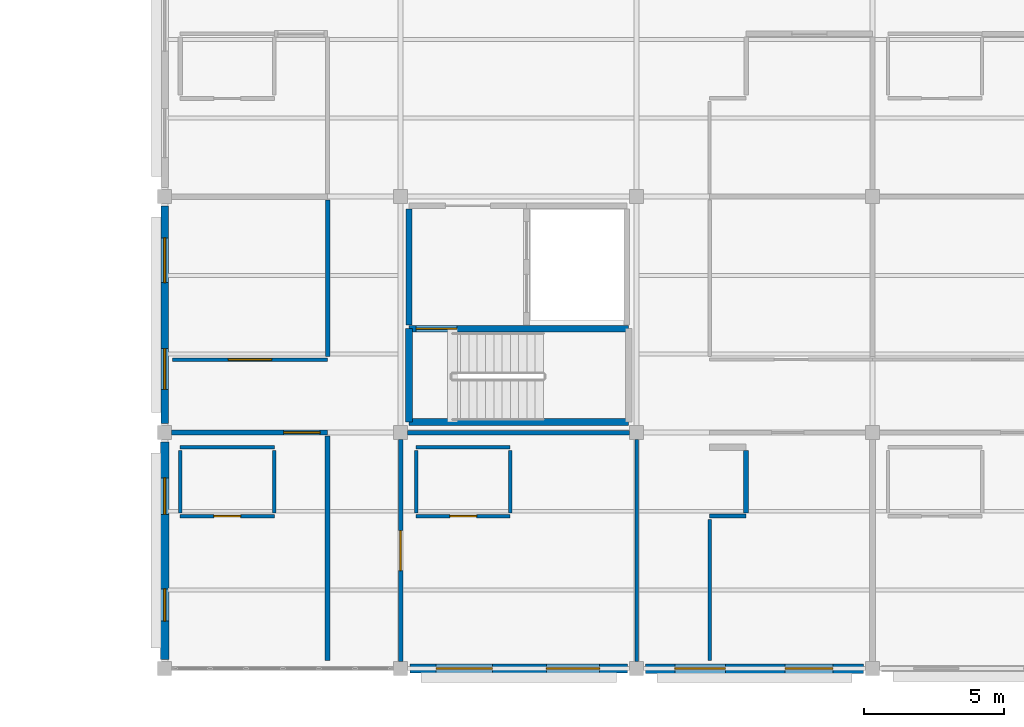
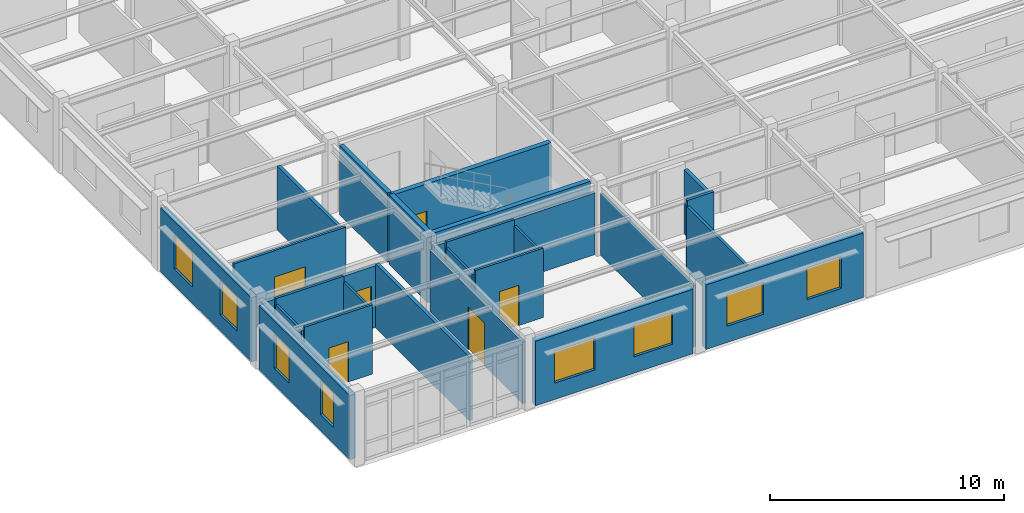
# One storey, part 32 of 53: 26 walls, 8 windows, 6 doors, 14 openings.
"""IFC4 building model written with IfcOpenShell, lengths in metres."""

from ifc_helpers import new_model, si_unit, direction, frame, frame_2d, origin, place, context, subcontext, project, spatial, rectangle, extrude, material, layer, layer_set, type_object, element, fill, save


model = new_model("IFC4")

# Units and contexts
model_context = context("Model", 3, precision=1e-05, world=origin(), true_north=direction((0.0, 1.0)))
body_context = subcontext(model_context, "Body", "Model", "MODEL_VIEW")
ifc_project = project(units=[si_unit("LENGTHUNIT", "METRE"), si_unit("AREAUNIT", "SQUARE_METRE"), si_unit("VOLUMEUNIT", "CUBIC_METRE"), si_unit("PLANEANGLEUNIT", "RADIAN"), si_unit("MASSUNIT", "GRAM", prefix="KILO")], contexts=[model_context])

# Site, building, storey
site_placement = place(None, origin())
site = spatial("IfcSite", under=ifc_project, at=site_placement, CompositionType="ELEMENT")
building_placement = place(site_placement, origin())
building = spatial("IfcBuilding", under=site, at=building_placement, Name="Bramfleet General Hospital", CompositionType="ELEMENT")
storey_placement = place(building_placement, frame((0.0, 0.0, 26.39990234375)))
storey = spatial("IfcBuildingStorey", under=building, at=storey_placement, Name="L06", CompositionType="ELEMENT", Elevation=26.39990234375)

# Wall, openings, windows
ifc_material_1 = material(Name="Precast concrete C40/50", Category="concrete")
ifc_layer_1 = layer(ifc_material_1, 0.3349609375, Name="WT-EW-03")
ifc_layer_set_1 = layer_set([ifc_layer_1], Name="Precast concrete C40/50")
wall_type_1 = type_object("IfcWallType", Name="WT-EW-03", PredefinedType="SOLIDWALL", material=ifc_layer_set_1)
wall_1_placement = place(storey_placement, frame((117.27490234375, 0.0, 0.0), z_axis=(0.0, 0.0, 1.0), x_axis=(-1.0, 0.0, 0.0)))
wall_1 = element("IfcWall", 1, at=wall_1_placement, inside=storey, type_object=wall_type_1, Name="L06 Exterior Wall 421", PredefinedType="SOLIDWALL", context=body_context, shape_type="SweptSolid", body=[
    extrude(rectangle(XDim=7.75, YDim=0.3349609375, at=frame_2d((3.875, 0.0))), origin(), (0.0, 0.0, 1.0), 3.360107421875),
])
opening_1_placement = place(wall_1_placement, frame((1.08740234375, 0.0, 0.85009765625)))
opening_1 = element("IfcOpeningElement", 2, at=opening_1_placement, cuts=wall_1, Name="Opening W-37", PredefinedType="OPENING", context=body_context, shape_type="SweptSolid", body=[
    extrude(rectangle(XDim=1.699951171875, YDim=1.659912109375, at=frame_2d((0.85009765625, 0.830078125))), frame((0.0, 0.177490234375, 0.0), z_axis=(0.0, -1.0, 0.0), x_axis=(1.0, 0.0, 0.0)), (0.0, 0.0, 1.0), 0.35498046875),
])
opening_2_placement = place(wall_1_placement, frame((4.91259765625, 0.0, 0.85009765625)))
opening_2 = element("IfcOpeningElement", 3, at=opening_2_placement, cuts=wall_1, Name="Opening W-38", PredefinedType="OPENING", context=body_context, shape_type="SweptSolid", body=[
    extrude(rectangle(XDim=1.800048828125, YDim=1.659912109375, at=frame_2d((0.89990234375, 0.830078125))), frame((0.0, 0.177490234375, 0.0), z_axis=(0.0, -1.0, 0.0), x_axis=(1.0, 0.0, 0.0)), (0.0, 0.0, 1.0), 0.35498046875),
])
ifc_material_2 = material(Name="Anodised aluminium and low-E triple glazing", Category="aluminium")
window_type_1 = type_object("IfcWindowType", Name="WIN-W-37", PartitioningType="SINGLE_PANEL", PredefinedType="WINDOW", material=ifc_material_2)
window_1_placement = place(opening_1_placement, origin())
window_1 = element("IfcWindow", 4, at=window_1_placement, inside=storey, type_object=window_type_1, Name="L06 Facade Window WIN-L06-421-1", OverallHeight=1.659912109375, OverallWidth=1.699951171875, PartitioningType="SINGLE_PANEL", PredefinedType="WINDOW", context=body_context, shape_type="SweptSolid", body=[
    extrude(rectangle(XDim=1.699951171875, YDim=1.659912109375, at=frame_2d((0.85009765625, 0.830078125))), frame((0.0, 0.030029296875, 0.0), z_axis=(0.0, -1.0, 0.0), x_axis=(1.0, 0.0, 0.0)), (0.0, 0.0, 1.0), 0.06005859375),
])
fill(opening_1, window_1)
window_type_2 = type_object("IfcWindowType", Name="WIN-W-38", PartitioningType="SINGLE_PANEL", PredefinedType="WINDOW", material=ifc_material_2)
window_2_placement = place(opening_2_placement, origin())
window_2 = element("IfcWindow", 5, at=window_2_placement, inside=storey, type_object=window_type_2, Name="L06 Facade Window WIN-L06-421-2", OverallHeight=1.659912109375, OverallWidth=1.800048828125, PartitioningType="SINGLE_PANEL", PredefinedType="WINDOW", context=body_context, shape_type="SweptSolid", body=[
    extrude(rectangle(XDim=1.800048828125, YDim=1.659912109375, at=frame_2d((0.89990234375, 0.830078125))), frame((0.0, 0.030029296875, 0.0), z_axis=(0.0, -1.0, 0.0), x_axis=(1.0, 0.0, 0.0)), (0.0, 0.0, 1.0), 0.06005859375),
])
fill(opening_2, window_2)

ifc_layer_2 = layer(ifc_material_1, 0.31494140625, Name="WT-EW-04")
ifc_layer_set_2 = layer_set([ifc_layer_2], Name="Precast concrete C40/50")
wall_type_2 = type_object("IfcWallType", Name="WT-EW-04", PredefinedType="SOLIDWALL", material=ifc_layer_set_2)
wall_2_placement = place(storey_placement, frame((108.875, 0.0, 0.0), z_axis=(0.0, 0.0, 1.0), x_axis=(-1.0, 0.0, 0.0)))
wall_2 = element("IfcWall", 6, at=wall_2_placement, inside=storey, type_object=wall_type_2, Name="L06 Exterior Wall 422", PredefinedType="SOLIDWALL", context=body_context, shape_type="SweptSolid", body=[
    extrude(rectangle(XDim=7.75, YDim=0.31494140625, at=frame_2d((3.875, 0.0))), origin(), (0.0, 0.0, 1.0), 3.360107421875),
])
opening_3_placement = place(wall_2_placement, frame((0.987548828125, 0.0, 0.85009765625)))
opening_3 = element("IfcOpeningElement", 7, at=opening_3_placement, cuts=wall_2, Name="Opening W-39", PredefinedType="OPENING", context=body_context, shape_type="SweptSolid", body=[
    extrude(rectangle(XDim=1.89990234375, YDim=1.659912109375, at=frame_2d((0.949951171875, 0.830078125))), frame((0.0, 0.16748046875, 0.0), z_axis=(0.0, -1.0, 0.0), x_axis=(1.0, 0.0, 0.0)), (0.0, 0.0, 1.0), 0.3349609375),
])
opening_4_placement = place(wall_2_placement, frame((4.8125, 0.0, 0.85009765625)))
opening_4 = element("IfcOpeningElement", 8, at=opening_4_placement, cuts=wall_2, Name="Opening W-40", PredefinedType="OPENING", context=body_context, shape_type="SweptSolid", body=[
    extrude(rectangle(XDim=2.0, YDim=1.659912109375, at=frame_2d((1.0, 0.830078125))), frame((0.0, 0.16748046875, 0.0), z_axis=(0.0, -1.0, 0.0), x_axis=(1.0, 0.0, 0.0)), (0.0, 0.0, 1.0), 0.3349609375),
])
window_type_3 = type_object("IfcWindowType", Name="WIN-W-39", PartitioningType="SINGLE_PANEL", PredefinedType="WINDOW", material=ifc_material_2)
window_3_placement = place(opening_3_placement, origin())
window_3 = element("IfcWindow", 9, at=window_3_placement, inside=storey, type_object=window_type_3, Name="L06 Facade Window WIN-L06-422-1", OverallHeight=1.659912109375, OverallWidth=1.89990234375, PartitioningType="SINGLE_PANEL", PredefinedType="WINDOW", context=body_context, shape_type="SweptSolid", body=[
    extrude(rectangle(XDim=1.89990234375, YDim=1.659912109375, at=frame_2d((0.949951171875, 0.830078125))), frame((0.0, 0.030029296875, 0.0), z_axis=(0.0, -1.0, 0.0), x_axis=(1.0, 0.0, 0.0)), (0.0, 0.0, 1.0), 0.06005859375),
])
fill(opening_3, window_3)
window_type_4 = type_object("IfcWindowType", Name="WIN-W-40", PartitioningType="SINGLE_PANEL", PredefinedType="WINDOW", material=ifc_material_2)
window_4_placement = place(opening_4_placement, origin())
window_4 = element("IfcWindow", 10, at=window_4_placement, inside=storey, type_object=window_type_4, Name="L06 Facade Window WIN-L06-422-2", OverallHeight=1.659912109375, OverallWidth=2.0, PartitioningType="SINGLE_PANEL", PredefinedType="WINDOW", context=body_context, shape_type="SweptSolid", body=[
    extrude(rectangle(XDim=2.0, YDim=1.659912109375, at=frame_2d((1.0, 0.830078125))), frame((0.0, 0.030029296875, 0.0), z_axis=(0.0, -1.0, 0.0), x_axis=(1.0, 0.0, 0.0)), (0.0, 0.0, 1.0), 0.06005859375),
])
fill(opening_4, window_4)

ifc_layer_3 = layer(ifc_material_1, 0.294921875, Name="WT-EW-05")
ifc_layer_set_3 = layer_set([ifc_layer_3], Name="Precast concrete C40/50")
wall_type_3 = type_object("IfcWallType", Name="WT-EW-05", PredefinedType="SOLIDWALL", material=ifc_layer_set_3)
wall_3_placement = place(storey_placement, frame((92.39990234375, 0.324951171875, 0.0), z_axis=(0.0, 0.0, 1.0), x_axis=(0.0, 1.0, 0.0)))
wall_3 = element("IfcWall", 11, at=wall_3_placement, inside=storey, type_object=wall_type_3, Name="L06 Exterior Wall 423", PredefinedType="SOLIDWALL", context=body_context, shape_type="SweptSolid", body=[
    extrude(rectangle(XDim=7.75, YDim=0.294921875, at=frame_2d((3.875, 0.0))), origin(), (0.0, 0.0, 1.0), 3.340087890625),
])
opening_5_placement = place(wall_3_placement, frame((1.362548828125, 0.0, 0.85009765625)))
opening_5 = element("IfcOpeningElement", 12, at=opening_5_placement, cuts=wall_3, Name="Opening W-41", PredefinedType="OPENING", context=body_context, shape_type="SweptSolid", body=[
    extrude(rectangle(XDim=1.14990234375, YDim=1.780029296875, at=frame_2d((0.574951171875, 0.89013671875))), frame((0.0, 0.157470703125, 0.0), z_axis=(0.0, -1.0, 0.0), x_axis=(1.0, 0.0, 0.0)), (0.0, 0.0, 1.0), 0.31494140625),
])
opening_6_placement = place(wall_3_placement, frame((5.16259765625, 0.0, 0.85009765625)))
opening_6 = element("IfcOpeningElement", 13, at=opening_6_placement, cuts=wall_3, Name="Opening W-42", PredefinedType="OPENING", context=body_context, shape_type="SweptSolid", body=[
    extrude(rectangle(XDim=1.300048828125, YDim=1.780029296875, at=frame_2d((0.64990234375, 0.89013671875))), frame((0.0, 0.157470703125, 0.0), z_axis=(0.0, -1.0, 0.0), x_axis=(1.0, 0.0, 0.0)), (0.0, 0.0, 1.0), 0.31494140625),
])
window_type_5 = type_object("IfcWindowType", Name="WIN-W-41", PartitioningType="SINGLE_PANEL", PredefinedType="WINDOW", material=ifc_material_2)
window_5_placement = place(opening_5_placement, origin())
window_5 = element("IfcWindow", 14, at=window_5_placement, inside=storey, type_object=window_type_5, Name="L06 Facade Window WIN-L06-423-1", OverallHeight=1.780029296875, OverallWidth=1.14990234375, PartitioningType="SINGLE_PANEL", PredefinedType="WINDOW", context=body_context, shape_type="SweptSolid", body=[
    extrude(rectangle(XDim=1.14990234375, YDim=1.780029296875, at=frame_2d((0.574951171875, 0.89013671875))), frame((0.0, 0.030029296875, 0.0), z_axis=(0.0, -1.0, 0.0), x_axis=(1.0, 0.0, 0.0)), (0.0, 0.0, 1.0), 0.06005859375),
])
fill(opening_5, window_5)
window_type_6 = type_object("IfcWindowType", Name="WIN-W-42", PartitioningType="SINGLE_PANEL", PredefinedType="WINDOW", material=ifc_material_2)
window_6_placement = place(opening_6_placement, origin())
window_6 = element("IfcWindow", 15, at=window_6_placement, inside=storey, type_object=window_type_6, Name="L06 Facade Window WIN-L06-423-2", OverallHeight=1.780029296875, OverallWidth=1.300048828125, PartitioningType="SINGLE_PANEL", PredefinedType="WINDOW", context=body_context, shape_type="SweptSolid", body=[
    extrude(rectangle(XDim=1.300048828125, YDim=1.780029296875, at=frame_2d((0.64990234375, 0.89013671875))), frame((0.0, 0.030029296875, 0.0), z_axis=(0.0, -1.0, 0.0), x_axis=(1.0, 0.0, 0.0)), (0.0, 0.0, 1.0), 0.06005859375),
])
fill(opening_6, window_6)

ifc_layer_4 = layer(ifc_material_1, 0.280029296875, Name="WT-EW-06")
ifc_layer_set_4 = layer_set([ifc_layer_4], Name="Precast concrete C40/50")
wall_type_4 = type_object("IfcWallType", Name="WT-EW-06", PredefinedType="SOLIDWALL", material=ifc_layer_set_4)
wall_4_placement = place(storey_placement, frame((92.39990234375, 8.72509765625, 0.0), z_axis=(0.0, 0.0, 1.0), x_axis=(0.0, 1.0, 0.0)))
wall_4 = element("IfcWall", 16, at=wall_4_placement, inside=storey, type_object=wall_type_4, Name="L06 Exterior Wall 424", PredefinedType="SOLIDWALL", context=body_context, shape_type="SweptSolid", body=[
    extrude(rectangle(XDim=7.75, YDim=0.280029296875, at=frame_2d((3.875, 0.0))), origin(), (0.0, 0.0, 1.0), 3.340087890625),
])
opening_7_placement = place(wall_4_placement, frame((1.21240234375, 0.0, 0.85009765625)))
opening_7 = element("IfcOpeningElement", 17, at=opening_7_placement, cuts=wall_4, Name="Opening W-43", PredefinedType="OPENING", context=body_context, shape_type="SweptSolid", body=[
    extrude(rectangle(XDim=1.449951171875, YDim=1.780029296875, at=frame_2d((0.72509765625, 0.89013671875))), frame((0.0, 0.14990234375, 0.0), z_axis=(0.0, -1.0, 0.0), x_axis=(1.0, 0.0, 0.0)), (0.0, 0.0, 1.0), 0.300048828125),
])
opening_8_placement = place(wall_4_placement, frame((5.012451171875, 0.0, 0.85009765625)))
opening_8 = element("IfcOpeningElement", 18, at=opening_8_placement, cuts=wall_4, Name="Opening W-44", PredefinedType="OPENING", context=body_context, shape_type="SweptSolid", body=[
    extrude(rectangle(XDim=1.60009765625, YDim=1.780029296875, at=frame_2d((0.800048828125, 0.89013671875))), frame((0.0, 0.14990234375, 0.0), z_axis=(0.0, -1.0, 0.0), x_axis=(1.0, 0.0, 0.0)), (0.0, 0.0, 1.0), 0.300048828125),
])
window_type_7 = type_object("IfcWindowType", Name="WIN-W-43", PartitioningType="SINGLE_PANEL", PredefinedType="WINDOW", material=ifc_material_2)
window_7_placement = place(opening_7_placement, origin())
window_7 = element("IfcWindow", 19, at=window_7_placement, inside=storey, type_object=window_type_7, Name="L06 Facade Window WIN-L06-424-1", OverallHeight=1.780029296875, OverallWidth=1.449951171875, PartitioningType="SINGLE_PANEL", PredefinedType="WINDOW", context=body_context, shape_type="SweptSolid", body=[
    extrude(rectangle(XDim=1.449951171875, YDim=1.780029296875, at=frame_2d((0.72509765625, 0.89013671875))), frame((0.0, 0.030029296875, 0.0), z_axis=(0.0, -1.0, 0.0), x_axis=(1.0, 0.0, 0.0)), (0.0, 0.0, 1.0), 0.06005859375),
])
fill(opening_7, window_7)
window_type_8 = type_object("IfcWindowType", Name="WIN-W-44", PartitioningType="SINGLE_PANEL", PredefinedType="WINDOW", material=ifc_material_2)
window_8_placement = place(opening_8_placement, origin())
window_8 = element("IfcWindow", 20, at=window_8_placement, inside=storey, type_object=window_type_8, Name="L06 Facade Window WIN-L06-424-2", OverallHeight=1.780029296875, OverallWidth=1.60009765625, PartitioningType="SINGLE_PANEL", PredefinedType="WINDOW", context=body_context, shape_type="SweptSolid", body=[
    extrude(rectangle(XDim=1.60009765625, YDim=1.780029296875, at=frame_2d((0.800048828125, 0.89013671875))), frame((0.0, 0.030029296875, 0.0), z_axis=(0.0, -1.0, 0.0), x_axis=(1.0, 0.0, 0.0)), (0.0, 0.0, 1.0), 0.06005859375),
])
fill(opening_8, window_8)

# Wall
ifc_material_3 = material(Name="Concrete C35/45", Category="concrete")
ifc_layer_5 = layer(ifc_material_3, 0.205078125, Name="WT-IW-02")
ifc_layer_set_5 = layer_set([ifc_layer_5], Name="Concrete C35/45")
wall_type_5 = type_object("IfcWallType", Name="WT-IW-02", PredefinedType="PARTITIONING", material=ifc_layer_set_5)
wall_5_placement = place(storey_placement, frame((101.10009765625, 12.239990234375, 0.0), z_axis=(0.0, 0.0, 1.0), x_axis=(0.0, 1.0, 0.0)))
element("IfcWall", 21, at=wall_5_placement, inside=storey, type_object=wall_type_5, Name="L06 C3 Lobby West Compartment Wall", PredefinedType="PARTITIONING", context=body_context, shape_type="SweptSolid", body=[
    extrude(rectangle(XDim=4.1201171875, YDim=0.205078125, at=frame_2d((2.06005859375, 0.0))), origin(), (0.0, 0.0, 1.0), 3.610107421875),
])

# Wall, opening, door
ifc_layer_6 = layer(ifc_material_3, 0.179931640625, Name="WT-IW-04")
ifc_layer_set_6 = layer_set([ifc_layer_6], Name="Concrete C35/45")
wall_type_6 = type_object("IfcWallType", Name="WT-IW-04", PredefinedType="PARTITIONING", material=ifc_layer_set_6)
wall_6_placement = place(storey_placement, frame((92.64501953125, 8.39990234375, 0.0), z_axis=(0.0, 0.0, 1.0), x_axis=(1.0, 0.0, 0.0)))
wall_6 = element("IfcWall", 22, at=wall_6_placement, inside=storey, type_object=wall_type_6, Name="L06 Interior Partition IW-L06-3844", PredefinedType="PARTITIONING", context=body_context, shape_type="SweptSolid", body=[
    extrude(rectangle(XDim=5.554931640625, YDim=0.179931640625, at=frame_2d((2.77734375, 0.0))), origin(), (0.0, 0.0, 1.0), 3.210205078125),
])
opening_9_placement = place(wall_6_placement, frame((3.98779296875, 0.0, 0.0)))
opening_9 = element("IfcOpeningElement", 23, at=opening_9_placement, cuts=wall_6, Name="Opening D1455", PredefinedType="OPENING", context=body_context, shape_type="SweptSolid", body=[
    extrude(rectangle(XDim=1.300048828125, YDim=2.199951171875, at=frame_2d((0.64990234375, 1.10009765625))), frame((0.0, 0.099853515625, 0.0), z_axis=(0.0, -1.0, 0.0), x_axis=(1.0, 0.0, 0.0)), (0.0, 0.0, 1.0), 0.199951171875),
])
ifc_material_4 = material(Name="Stainless steel and acoustic timber leaf", Category="steel")
door_type_1 = type_object("IfcDoorType", Name="DR-D-15", OperationType="NOTDEFINED", PredefinedType="DOOR", material=ifc_material_4)
door_1_placement = place(opening_9_placement, origin())
door_1 = element("IfcDoor", 24, at=door_1_placement, inside=storey, type_object=door_type_1, Name="Oncology and Neurology Ward Bedroom L06-1100 Door D1455", OperationType="SINGLE_SWING_RIGHT", OverallHeight=2.199951171875, OverallWidth=1.300048828125, PredefinedType="DOOR", context=body_context, shape_type="SweptSolid", body=[
    extrude(rectangle(XDim=1.300048828125, YDim=2.199951171875, at=frame_2d((0.64990234375, 1.10009765625))), frame((0.0, 0.02490234375, 0.0), z_axis=(0.0, -1.0, 0.0), x_axis=(1.0, 0.0, 0.0)), (0.0, 0.0, 1.0), 0.050048828125),
])
fill(opening_9, door_1)

# Walls
wall_7_placement = place(storey_placement, frame((113.10009765625, 5.544921875, 0.0), z_axis=(0.0, 0.0, 1.0), x_axis=(0.0, 1.0, 0.0)))
element("IfcWall", 25, at=wall_7_placement, inside=storey, type_object=wall_type_6, Name="L06 Interior Partition IW-L06-4072", PredefinedType="PARTITIONING", context=body_context, shape_type="SweptSolid", body=[
    extrude(rectangle(XDim=2.219970703125, YDim=0.179931640625, at=frame_2d((1.10986328125, 0.0))), origin(), (0.0, 0.0, 1.0), 3.340087890625),
])
ifc_material_5 = material(Name="Gypsum plasterboard on acoustic steel studs", Category="steel")
ifc_layer_7 = layer(ifc_material_5, 0.169921875, Name="WT-IW-05")
ifc_layer_set_7 = layer_set([ifc_layer_7], Name="Gypsum plasterboard on acoustic steel studs")
wall_type_7 = type_object("IfcWallType", Name="WT-IW-05", PredefinedType="PARTITIONING", material=ifc_layer_set_7)
wall_8_placement = place(storey_placement, frame((101.044921875, 8.39990234375, 0.0), z_axis=(0.0, 0.0, 1.0), x_axis=(1.0, 0.0, 0.0)))
element("IfcWall", 26, at=wall_8_placement, inside=storey, type_object=wall_type_7, Name="L06 Interior Partition IW-L06-3845", PredefinedType="PARTITIONING", context=body_context, shape_type="SweptSolid", body=[
    extrude(rectangle(XDim=7.91015625, YDim=0.169921875, at=frame_2d((3.955078125, 0.0))), origin(), (0.0, 0.0, 1.0), 3.210205078125),
])
wall_9_placement = place(storey_placement, frame((98.199951171875, 0.280029296875, 0.0), z_axis=(0.0, 0.0, 1.0), x_axis=(0.0, 1.0, 0.0)))
element("IfcWall", 27, at=wall_9_placement, inside=storey, type_object=wall_type_7, Name="L06 Interior Partition IW-L06-4013", PredefinedType="PARTITIONING", context=body_context, shape_type="SweptSolid", body=[
    extrude(rectangle(XDim=8.0048828125, YDim=0.169921875, at=frame_2d((4.00244140625, 0.0))), origin(), (0.0, 0.0, 1.0), 3.340087890625),
])
ifc_layer_8 = layer(ifc_material_5, 0.159912109375, Name="WT-IW-06")
ifc_layer_set_8 = layer_set([ifc_layer_8], Name="Gypsum plasterboard on acoustic steel studs")
wall_type_8 = type_object("IfcWallType", Name="WT-IW-06", PredefinedType="PARTITIONING", material=ifc_layer_set_8)
wall_10_placement = place(storey_placement, frame((98.199951171875, 11.114990234375, 0.0), z_axis=(0.0, 0.0, 1.0), x_axis=(0.0, 1.0, 0.0)))
element("IfcWall", 28, at=wall_10_placement, inside=storey, type_object=wall_type_8, Name="L06 Interior Partition IW-L06-4014", PredefinedType="PARTITIONING", context=body_context, shape_type="SweptSolid", body=[
    extrude(rectangle(XDim=5.570068359375, YDim=0.159912109375, at=frame_2d((2.78515625, 0.0))), origin(), (0.0, 0.0, 1.0), 3.340087890625),
])

# Wall, opening, door
ifc_layer_9 = layer(ifc_material_5, 0.14990234375, Name="WT-IW-07")
ifc_layer_set_9 = layer_set([ifc_layer_9], Name="Gypsum plasterboard on acoustic steel studs")
wall_type_9 = type_object("IfcWallType", Name="WT-IW-07", PredefinedType="PARTITIONING", material=ifc_layer_set_9)
wall_11_placement = place(storey_placement, frame((100.800048828125, 0.2451171875, 0.0), z_axis=(0.0, 0.0, 1.0), x_axis=(0.0, 1.0, 0.0)))
wall_11 = element("IfcWall", 29, at=wall_11_placement, inside=storey, type_object=wall_type_9, Name="L06 Interior Partition IW-L06-4027", PredefinedType="PARTITIONING", context=body_context, shape_type="SweptSolid", body=[
    extrude(rectangle(XDim=7.909912109375, YDim=0.14990234375, at=frame_2d((3.955078125, 0.0))), origin(), (0.0, 0.0, 1.0), 3.210205078125),
])
opening_10_placement = place(wall_11_placement, frame((3.2451171875, 0.0, 0.0)))
opening_10 = element("IfcOpeningElement", 30, at=opening_10_placement, cuts=wall_11, Name="Opening D1471", PredefinedType="OPENING", context=body_context, shape_type="SweptSolid", body=[
    extrude(rectangle(XDim=1.419921875, YDim=2.219970703125, at=frame_2d((0.7099609375, 1.10986328125))), frame((0.0, 0.0849609375, 0.0), z_axis=(0.0, -1.0, 0.0), x_axis=(1.0, 0.0, 0.0)), (0.0, 0.0, 1.0), 0.169921875),
])
door_type_2 = type_object("IfcDoorType", Name="DR-D-31", OperationType="NOTDEFINED", PredefinedType="DOOR", material=ifc_material_4)
door_2_placement = place(opening_10_placement, origin())
door_2 = element("IfcDoor", 31, at=door_2_placement, inside=storey, type_object=door_type_2, Name="Oncology and Neurology Ward Bedroom L06-1200 Door D1471", OperationType="SINGLE_SWING_RIGHT", OverallHeight=2.219970703125, OverallWidth=1.419921875, PredefinedType="DOOR", context=body_context, shape_type="SweptSolid", body=[
    extrude(rectangle(XDim=1.419921875, YDim=2.219970703125, at=frame_2d((0.7099609375, 1.10986328125))), frame((0.0, 0.02490234375, 0.0), z_axis=(0.0, -1.0, 0.0), x_axis=(1.0, 0.0, 0.0)), (0.0, 0.0, 1.0), 0.050048828125),
])
fill(opening_10, door_2)

# Walls
ifc_layer_10 = layer(ifc_material_5, 0.139892578125, Name="WT-IW-08")
ifc_layer_set_10 = layer_set([ifc_layer_10], Name="Gypsum plasterboard on acoustic steel studs")
wall_type_10 = type_object("IfcWallType", Name="WT-IW-08", PredefinedType="PARTITIONING", material=ifc_layer_set_10)
wall_12_placement = place(storey_placement, frame((111.800048828125, 5.429931640625, 0.0), z_axis=(0.0, 0.0, 1.0), x_axis=(1.0, 0.0, 0.0)))
element("IfcWall", 32, at=wall_12_placement, inside=storey, type_object=wall_type_10, Name="L06 Interior Partition IW-L06-3836", PredefinedType="PARTITIONING", context=body_context, shape_type="SweptSolid", body=[
    extrude(rectangle(XDim=1.300048828125, YDim=0.139892578125, at=frame_2d((0.64990234375, 0.0))), origin(), (0.0, 0.0, 1.0), 3.610107421875),
])
ifc_layer_11 = layer(ifc_material_5, 0.1298828125, Name="WT-IW-09")
ifc_layer_set_11 = layer_set([ifc_layer_11], Name="Gypsum plasterboard on acoustic steel studs")
wall_type_11 = type_object("IfcWallType", Name="WT-IW-09", PredefinedType="PARTITIONING", material=ifc_layer_set_11)
wall_13_placement = place(storey_placement, frame((109.199951171875, 0.2451171875, 0.0), z_axis=(0.0, 0.0, 1.0), x_axis=(0.0, 1.0, 0.0)))
element("IfcWall", 33, at=wall_13_placement, inside=storey, type_object=wall_type_11, Name="L06 Interior Partition IW-L06-4041", PredefinedType="PARTITIONING", context=body_context, shape_type="SweptSolid", body=[
    extrude(rectangle(XDim=7.909912109375, YDim=0.1298828125, at=frame_2d((3.955078125, 0.0))), origin(), (0.0, 0.0, 1.0), 3.210205078125),
])
wall_14_placement = place(storey_placement, frame((111.800048828125, 0.280029296875, 0.0), z_axis=(0.0, 0.0, 1.0), x_axis=(0.0, 1.0, 0.0)))
element("IfcWall", 34, at=wall_14_placement, inside=storey, type_object=wall_type_11, Name="L06 Interior Partition IW-L06-4053", PredefinedType="PARTITIONING", context=body_context, shape_type="SweptSolid", body=[
    extrude(rectangle(XDim=5.034912109375, YDim=0.1298828125, at=frame_2d((2.517578125, 0.0))), origin(), (0.0, 0.0, 1.0), 3.340087890625),
])

# Wall, opening, door
ifc_layer_12 = layer(ifc_material_5, 0.1201171875, Name="WT-IW-10")
ifc_layer_set_12 = layer_set([ifc_layer_12], Name="Gypsum plasterboard on acoustic steel studs")
wall_type_12 = type_object("IfcWallType", Name="WT-IW-10", PredefinedType="PARTITIONING", material=ifc_layer_set_12)
wall_15_placement = place(storey_placement, frame((92.949951171875, 5.429931640625, 0.0), z_axis=(0.0, 0.0, 1.0), x_axis=(1.0, 0.0, 0.0)))
wall_15 = element("IfcWall", 35, at=wall_15_placement, inside=storey, type_object=wall_type_12, Name="L06 Interior Partition IW-L06-3834", PredefinedType="PARTITIONING", context=body_context, shape_type="SweptSolid", body=[
    extrude(rectangle(XDim=3.35009765625, YDim=0.1201171875, at=frame_2d((1.675048828125, 0.0))), origin(), (0.0, 0.0, 1.0), 3.610107421875),
])
opening_11_placement = place(wall_15_placement, frame((1.199951171875, 0.0, 0.0)))
opening_11 = element("IfcOpeningElement", 36, at=opening_11_placement, cuts=wall_15, Name="Opening D1456", PredefinedType="OPENING", context=body_context, shape_type="SweptSolid", body=[
    extrude(rectangle(XDim=0.949951171875, YDim=2.10009765625, at=frame_2d((0.47509765625, 1.050048828125))), frame((0.0, 0.070068359375, 0.0), z_axis=(0.0, -1.0, 0.0), x_axis=(1.0, 0.0, 0.0)), (0.0, 0.0, 1.0), 0.14013671875),
])
door_type_3 = type_object("IfcDoorType", Name="DR-D-10", OperationType="NOTDEFINED", PredefinedType="DOOR", material=ifc_material_4)
door_3_placement = place(opening_11_placement, origin())
door_3 = element("IfcDoor", 37, at=door_3_placement, inside=storey, type_object=door_type_3, Name="En-Suite Bathroom L06-1100 Door D1456", OperationType="SINGLE_SWING_LEFT", OverallHeight=2.10009765625, OverallWidth=0.949951171875, PredefinedType="DOOR", context=body_context, shape_type="SweptSolid", body=[
    extrude(rectangle(XDim=0.949951171875, YDim=2.10009765625, at=frame_2d((0.47509765625, 1.050048828125))), frame((0.0, 0.02490234375, 0.0), z_axis=(0.0, -1.0, 0.0), x_axis=(1.0, 0.0, 0.0)), (0.0, 0.0, 1.0), 0.050048828125),
])
fill(opening_11, door_3)

wall_16_placement = place(storey_placement, frame((101.35009765625, 5.429931640625, 0.0), z_axis=(0.0, 0.0, 1.0), x_axis=(1.0, 0.0, 0.0)))
wall_16 = element("IfcWall", 38, at=wall_16_placement, inside=storey, type_object=wall_type_12, Name="L06 Interior Partition IW-L06-3835", PredefinedType="PARTITIONING", context=body_context, shape_type="SweptSolid", body=[
    extrude(rectangle(XDim=3.349853515625, YDim=0.1201171875, at=frame_2d((1.6748046875, 0.0))), origin(), (0.0, 0.0, 1.0), 3.610107421875),
])
opening_12_placement = place(wall_16_placement, frame((1.199951171875, 0.0, 0.0)))
opening_12 = element("IfcOpeningElement", 39, at=opening_12_placement, cuts=wall_16, Name="Opening D1472", PredefinedType="OPENING", context=body_context, shape_type="SweptSolid", body=[
    extrude(rectangle(XDim=0.949951171875, YDim=2.10009765625, at=frame_2d((0.47509765625, 1.050048828125))), frame((0.0, 0.070068359375, 0.0), z_axis=(0.0, -1.0, 0.0), x_axis=(1.0, 0.0, 0.0)), (0.0, 0.0, 1.0), 0.14013671875),
])
door_4_placement = place(opening_12_placement, origin())
door_4 = element("IfcDoor", 40, at=door_4_placement, inside=storey, type_object=door_type_3, Name="En-Suite Bathroom L06-1200 Door D1472", OperationType="SINGLE_SWING_LEFT", OverallHeight=2.10009765625, OverallWidth=0.949951171875, PredefinedType="DOOR", context=body_context, shape_type="SweptSolid", body=[
    extrude(rectangle(XDim=0.949951171875, YDim=2.10009765625, at=frame_2d((0.47509765625, 1.050048828125))), frame((0.0, 0.02490234375, 0.0), z_axis=(0.0, -1.0, 0.0), x_axis=(1.0, 0.0, 0.0)), (0.0, 0.0, 1.0), 0.050048828125),
])
fill(opening_12, door_4)

# Walls
wall_17_placement = place(storey_placement, frame((92.949951171875, 7.8798828125, 0.0), z_axis=(0.0, 0.0, 1.0), x_axis=(1.0, 0.0, 0.0)))
element("IfcWall", 41, at=wall_17_placement, inside=storey, type_object=wall_type_12, Name="L06 Interior Partition IW-L06-3839", PredefinedType="PARTITIONING", context=body_context, shape_type="SweptSolid", body=[
    extrude(rectangle(XDim=3.35009765625, YDim=0.1201171875, at=frame_2d((1.675048828125, 0.0))), origin(), (0.0, 0.0, 1.0), 3.610107421875),
])
wall_18_placement = place(storey_placement, frame((101.35009765625, 7.8798828125, 0.0), z_axis=(0.0, 0.0, 1.0), x_axis=(1.0, 0.0, 0.0)))
element("IfcWall", 42, at=wall_18_placement, inside=storey, type_object=wall_type_12, Name="L06 Interior Partition IW-L06-3840", PredefinedType="PARTITIONING", context=body_context, shape_type="SweptSolid", body=[
    extrude(rectangle(XDim=3.349853515625, YDim=0.1201171875, at=frame_2d((1.6748046875, 0.0))), origin(), (0.0, 0.0, 1.0), 3.610107421875),
])

# Wall, opening, door
wall_19_placement = place(storey_placement, frame((92.679931640625, 11.0, 0.0), z_axis=(0.0, 0.0, 1.0), x_axis=(1.0, 0.0, 0.0)))
wall_19 = element("IfcWall", 43, at=wall_19_placement, inside=storey, type_object=wall_type_12, Name="L06 Interior Partition IW-L06-3850", PredefinedType="PARTITIONING", context=body_context, shape_type="SweptSolid", body=[
    extrude(rectangle(XDim=5.52001953125, YDim=0.1201171875, at=frame_2d((2.760009765625, 0.0))), origin(), (0.0, 0.0, 1.0), 3.610107421875),
])
opening_13_placement = place(wall_19_placement, frame((1.989990234375, 0.0, 0.0)))
opening_13 = element("IfcOpeningElement", 44, at=opening_13_placement, cuts=wall_19, Name="Opening D1457", PredefinedType="OPENING", context=body_context, shape_type="SweptSolid", body=[
    extrude(rectangle(XDim=1.5400390625, YDim=2.239990234375, at=frame_2d((0.77001953125, 1.1201171875))), frame((0.0, 0.070068359375, 0.0), z_axis=(0.0, -1.0, 0.0), x_axis=(1.0, 0.0, 0.0)), (0.0, 0.0, 1.0), 0.14013671875),
])
door_type_4 = type_object("IfcDoorType", Name="DR-D-17", OperationType="NOTDEFINED", PredefinedType="DOOR", material=ifc_material_4)
door_5_placement = place(opening_13_placement, origin())
door_5 = element("IfcDoor", 45, at=door_5_placement, inside=storey, type_object=door_type_4, Name="Oncology and Neurology Ward Nurse Station L06-1101 Door D1457", OperationType="SINGLE_SWING_RIGHT", OverallHeight=2.239990234375, OverallWidth=1.5400390625, PredefinedType="DOOR", context=body_context, shape_type="SweptSolid", body=[
    extrude(rectangle(XDim=1.5400390625, YDim=2.239990234375, at=frame_2d((0.77001953125, 1.1201171875))), frame((0.0, 0.02490234375, 0.0), z_axis=(0.0, -1.0, 0.0), x_axis=(1.0, 0.0, 0.0)), (0.0, 0.0, 1.0), 0.050048828125),
])
fill(opening_13, door_5)

# Walls
for number, where, z_axis, x_axis, name in (
    (46, (92.949951171875, 5.544921875, 0.0), (0.0, 0.0, 1.0), (0.0, 1.0, 0.0), "L06 Interior Partition IW-L06-4002"),
    (47, (96.300048828125, 5.544921875, 0.0), (0.0, 0.0, 1.0), (0.0, 1.0, 0.0), "L06 Interior Partition IW-L06-4005"),
    (48, (101.35009765625, 5.544921875, 0.0), (0.0, 0.0, 1.0), (0.0, 1.0, 0.0), "L06 Interior Partition IW-L06-4033"),
    (49, (104.699951171875, 5.544921875, 0.0), (0.0, 0.0, 1.0), (0.0, 1.0, 0.0), "L06 Interior Partition IW-L06-4040"),
):
    element("IfcWall", number, at=place(storey_placement, frame(where, z_axis=z_axis, x_axis=x_axis)), inside=storey, type_object=wall_type_12, Name=name, PredefinedType="PARTITIONING", context=body_context, shape_type="SweptSolid", body=[
        extrude(rectangle(XDim=2.219970703125, YDim=0.1201171875, at=frame_2d((1.10986328125, 0.0))), origin(), (0.0, 0.0, 1.0), 3.340087890625),
    ])
ifc_material_6 = material(Name="Concrete C40/50", Category="concrete")
ifc_layer_13 = layer(ifc_material_6, 0.239990234375, Name="WT-SW-240")
ifc_layer_set_13 = layer_set([ifc_layer_13], Name="Concrete C40/50")
wall_type_13 = type_object("IfcWallType", Name="WT-SW-240", PredefinedType="SHEAR", material=ifc_layer_set_13)
wall_20_placement = place(storey_placement, frame((101.10009765625, 8.780029296875, 0.0), z_axis=(0.0, 0.0, 1.0), x_axis=(1.0, 0.0, 0.0)))
element("IfcWall", 50, at=wall_20_placement, inside=storey, type_object=wall_type_13, Name="L06 C3 South Stair Shear Wall", PredefinedType="SHEAR", context=body_context, shape_type="SweptSolid", body=[
    extrude(rectangle(XDim=7.81982421875, YDim=0.239990234375, at=frame_2d((3.909912109375, 0.0))), origin(), (0.0, 0.0, 1.0), 3.6201171875),
])
wall_21_placement = place(storey_placement, frame((101.10009765625, 8.780029296875, 0.0), z_axis=(0.0, 0.0, 1.0), x_axis=(0.0, 1.0, 0.0)))
element("IfcWall", 51, at=wall_21_placement, inside=storey, type_object=wall_type_13, Name="L06 C3 West Stair Shear Wall", PredefinedType="SHEAR", context=body_context, shape_type="SweptSolid", body=[
    extrude(rectangle(XDim=3.320068359375, YDim=0.239990234375, at=frame_2d((1.66015625, 0.0))), origin(), (0.0, 0.0, 1.0), 3.6201171875),
])

# Wall, opening, door
wall_22_placement = place(storey_placement, frame((101.10009765625, 12.10009765625, 0.0), z_axis=(0.0, 0.0, 1.0), x_axis=(1.0, 0.0, 0.0)))
wall_22 = element("IfcWall", 52, at=wall_22_placement, inside=storey, type_object=wall_type_13, Name="L06 C3 Stair-Lobby Shear Wall", PredefinedType="SHEAR", context=body_context, shape_type="SweptSolid", body=[
    extrude(rectangle(XDim=7.81982421875, YDim=0.239990234375, at=frame_2d((3.909912109375, 0.0))), origin(), (0.0, 0.0, 1.0), 3.6201171875),
])
opening_14_placement = place(wall_22_placement, frame((0.25, 0.0, 0.0)))
opening_14 = element("IfcOpeningElement", 53, at=opening_14_placement, cuts=wall_22, Name="Opening D0033", PredefinedType="OPENING", context=body_context, shape_type="SweptSolid", body=[
    extrude(rectangle(XDim=1.449951171875, YDim=2.199951171875, at=frame_2d((0.72509765625, 1.10009765625))), frame((0.0, 0.1298828125, 0.0), z_axis=(0.0, -1.0, 0.0), x_axis=(1.0, 0.0, 0.0)), (0.0, 0.0, 1.0), 0.260009765625),
])
door_type_5 = type_object("IfcDoorType", Name="DR-D-03", OperationType="NOTDEFINED", PredefinedType="DOOR", material=ifc_material_4)
door_6_placement = place(opening_14_placement, origin())
door_6 = element("IfcDoor", 54, at=door_6_placement, inside=storey, type_object=door_type_5, Name="L06 C3 Escape Stair Fire Door D0033", OperationType="SINGLE_SWING_RIGHT", OverallHeight=2.199951171875, OverallWidth=1.449951171875, PredefinedType="DOOR", context=body_context, shape_type="SweptSolid", body=[
    extrude(rectangle(XDim=1.449951171875, YDim=2.199951171875, at=frame_2d((0.72509765625, 1.10009765625))), frame((0.0, 0.02490234375, 0.0), z_axis=(0.0, -1.0, 0.0), x_axis=(1.0, 0.0, 0.0)), (0.0, 0.0, 1.0), 0.050048828125),
])
fill(opening_14, door_6)

save(model, "model.ifc")
